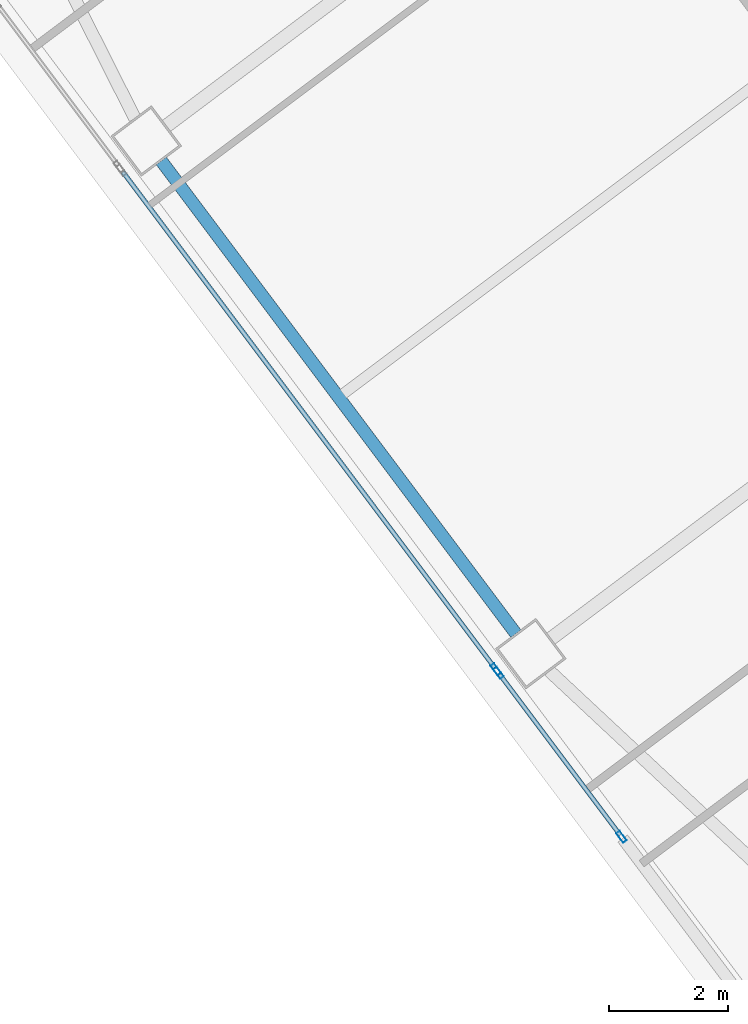
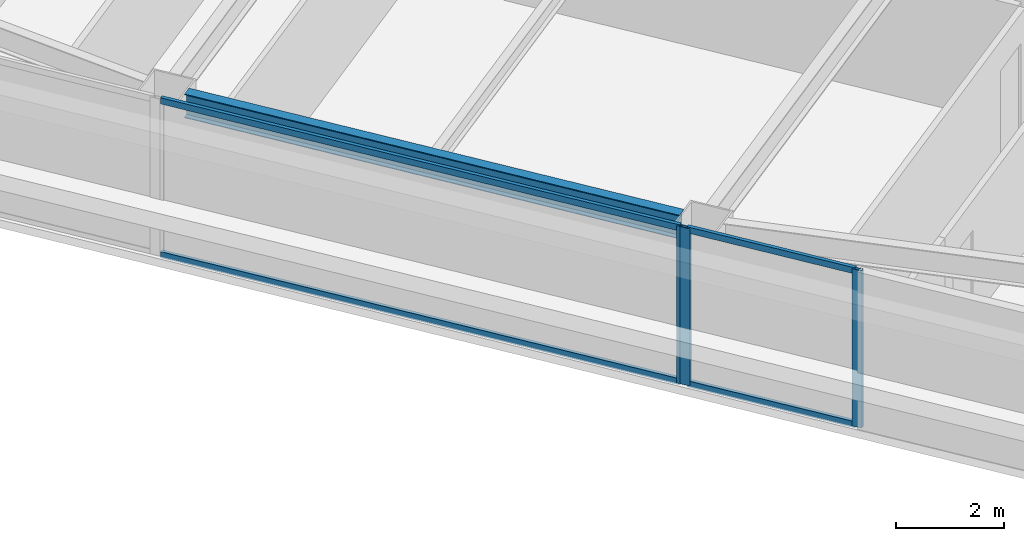
# One storey, part 17 of 41: 7 members, 1 beam, 2 elements without a shape of their own.
"""IFC4 building model written with IfcOpenShell, lengths in metres."""

from ifc_helpers import new_model, si_unit, direction, frame, origin, origin_2d, place, context, subcontext, project, spatial, hollow_rectangle, i_section, extrude, material, material_profile, profile_set, type_object, element, aggregate, save


model = new_model("IFC4")

# Units and contexts
model_context = context("Model", 3, precision=1e-05, world=origin(), true_north=direction((0.0, 1.0)))
body_context = subcontext(model_context, "Body", "Model", "MODEL_VIEW")
ifc_project = project(units=[si_unit("LENGTHUNIT", "METRE"), si_unit("AREAUNIT", "SQUARE_METRE"), si_unit("VOLUMEUNIT", "CUBIC_METRE"), si_unit("PLANEANGLEUNIT", "RADIAN"), si_unit("MASSUNIT", "GRAM", prefix="KILO")], contexts=[model_context])

# Site, building, storey
site_placement = place(None, origin())
site = spatial("IfcSite", under=ifc_project, at=site_placement, CompositionType="ELEMENT")
building_placement = place(site_placement, origin())
building = spatial("IfcBuilding", under=site, at=building_placement, Name="Tashvorn Skyway Center", CompositionType="ELEMENT")
storey_placement = place(building_placement, frame((0.0, 0.0, 146.35009765625)))
storey = spatial("IfcBuildingStorey", under=building, at=storey_placement, Name="L39", CompositionType="ELEMENT", Elevation=146.35009765625)

# Beam
ifc_material_1 = material(Name="Steel ASTM A992 Grade 50", Category="steel")
ifc_material_profile_1 = material_profile(ifc_material_1, i_section(OverallWidth=0.2109375, OverallDepth=0.5390625, WebThickness=0.01171875, FlangeThickness=0.018798828125, at=origin_2d()), Name="W21X73")
ifc_profile_set_1 = profile_set([ifc_material_profile_1], Name="Steel ASTM A992 Grade 50")
beam_type = type_object("IfcBeamType", Name="BM-SPANDREL-W21X73", PredefinedType="SPANDREL", material=ifc_profile_set_1)
beam_placement = place(storey_placement, frame((96.89208984375, 25.39404296875, 3.100341796875), z_axis=(0.599988234018, -0.800008824351, 0.0), x_axis=(0.800008824351, 0.599988234018, 0.0)))
element("IfcBeam", 1, at=beam_placement, inside=storey, type_object=beam_type, Name="Tower 2 L39 Spandrel Beam 11", PredefinedType="SPANDREL", context=body_context, shape_type="SweptSolid", body=[
    extrude(i_section(OverallWidth=0.2109375, OverallDepth=0.5390625, WebThickness=0.01171875, FlangeThickness=0.018798828125, at=origin_2d()), origin(), (0.0, 0.0, 1.0), 9.9599609375),
])

# Curtain wall, members
ifc_material_2 = material(Name="Thermally broken bronze-anodized aluminium 6063-T6", Category="aluminium")
curtain_wall_type = type_object("IfcCurtainWallType", Name="CW-CW-Z3", PredefinedType="NOTDEFINED", material=ifc_material_2)
curtain_wall_1_placement = place(storey_placement, origin())
curtain_wall_1 = element("IfcCurtainWall", 2, at=curtain_wall_1_placement, inside=storey, type_object=curtain_wall_type, Name="Tower 2 L39 West Unitised Curtain Wall Glazing Group 1", PredefinedType="NOTDEFINED")
ifc_material_profile_2 = material_profile(ifc_material_2, hollow_rectangle(XDim=0.074951171875, YDim=0.199951171875, WallThickness=0.00439453125, at=origin_2d()), Name="ALU-MULL-75x200")
ifc_profile_set_2 = profile_set([ifc_material_profile_2], Name="Thermally broken bronze-anodized aluminium 6063-T6")
member_type_1 = type_object("IfcMemberType", Name="CWM-CW-Z3", PredefinedType="MULLION", material=ifc_profile_set_2)
member_1_placement = place(storey_placement, frame((104.646728515625, 14.004150390625, 0.0), z_axis=(0.0, 0.0, 1.0), x_axis=(-0.800003400519, -0.599995465948, 0.0)))
member_1 = element("IfcMember", 3, at=member_1_placement, type_object=member_type_1, Name="CW-Z3 mullion 1", PredefinedType="MULLION", context=body_context, shape_type="SweptSolid", body=[
    extrude(hollow_rectangle(XDim=0.074951171875, YDim=0.199951171875, WallThickness=0.00439453125, at=origin_2d()), origin(), (0.0, 0.0, 1.0), 3.5498046875),
])
member_2_placement = place(storey_placement, frame((102.574462890625, 16.767333984375, 0.0), z_axis=(0.0, 0.0, 1.0), x_axis=(-0.800003400519, -0.599995465948, 0.0)))
member_2 = element("IfcMember", 4, at=member_2_placement, type_object=member_type_1, Name="CW-Z3 mullion 2", PredefinedType="MULLION", context=body_context, shape_type="SweptSolid", body=[
    extrude(hollow_rectangle(XDim=0.074951171875, YDim=0.199951171875, WallThickness=0.00439453125, at=origin_2d()), origin(), (0.0, 0.0, 1.0), 3.5498046875),
])

# Curtain wall, member
curtain_wall_2_placement = place(storey_placement, origin())
curtain_wall_2 = element("IfcCurtainWall", 5, at=curtain_wall_2_placement, inside=storey, type_object=curtain_wall_type, Name="Tower 2 L39 West Unitised Curtain Wall Glazing Group 2", PredefinedType="NOTDEFINED")
member_3_placement = place(storey_placement, frame((102.529541015625, 16.827392578125, 0.0), z_axis=(0.0, 0.0, 1.0), x_axis=(-0.800002266987, -0.599996977339, 0.0)))
member_3 = element("IfcMember", 6, at=member_3_placement, type_object=member_type_1, Name="CW-Z3 mullion 1", PredefinedType="MULLION", context=body_context, shape_type="SweptSolid", body=[
    extrude(hollow_rectangle(XDim=0.074951171875, YDim=0.199951171875, WallThickness=0.00439453125, at=origin_2d()), origin(), (0.0, 0.0, 1.0), 3.5498046875),
])

# Member
ifc_material_profile_3 = material_profile(ifc_material_2, hollow_rectangle(XDim=0.074951171875, YDim=0.139892578125, WallThickness=0.004150390625, at=origin_2d()), Name="ALU-TRAN-75x140")
ifc_profile_set_3 = profile_set([ifc_material_profile_3], Name="Thermally broken bronze-anodized aluminium 6063-T6")
member_type_2 = type_object("IfcMemberType", Name="CWT-CW-Z3", PredefinedType="USERDEFINED", material=ifc_profile_set_3)
member_4_placement = place(storey_placement, frame((104.624267578125, 14.0341796875, 0.037353515625), z_axis=(-0.6, 0.8, 0.0), x_axis=(-0.8, -0.6, 0.0)))
member_4 = element("IfcMember", 7, at=member_4_placement, type_object=member_type_2, Name="CW-Z3 transom 1.1", ObjectType="TRANSOM", PredefinedType="USERDEFINED", context=body_context, shape_type="SweptSolid", body=[
    extrude(hollow_rectangle(XDim=0.074951171875, YDim=0.139892578125, WallThickness=0.004150390625, at=origin_2d()), origin(), (0.0, 0.0, 1.0), 3.37890625),
])

member_5_placement = place(storey_placement, frame((104.624267578125, 14.0341796875, 3.512451171875), z_axis=(-0.6, 0.8, 0.0), x_axis=(-0.8, -0.6, 0.0)))
member_5 = element("IfcMember", 8, at=member_5_placement, type_object=member_type_2, Name="CW-Z3 transom 1.2", ObjectType="TRANSOM", PredefinedType="USERDEFINED", context=body_context, shape_type="SweptSolid", body=[
    extrude(hollow_rectangle(XDim=0.074951171875, YDim=0.139892578125, WallThickness=0.004150390625, at=origin_2d()), origin(), (0.0, 0.0, 1.0), 3.37890625),
])

aggregate(curtain_wall_1, [member_1, member_2, member_4, member_5])

member_6_placement = place(storey_placement, frame((102.507080078125, 16.857421875, 0.037353515625), z_axis=(-0.599996257181, 0.800002807101, 0.0), x_axis=(-0.800002807101, -0.599996257181, 0.0)))
member_6 = element("IfcMember", 9, at=member_6_placement, type_object=member_type_2, Name="CW-Z3 transom 1.1", ObjectType="TRANSOM", PredefinedType="USERDEFINED", context=body_context, shape_type="SweptSolid", body=[
    extrude(hollow_rectangle(XDim=0.074951171875, YDim=0.139892578125, WallThickness=0.004150390625, at=origin_2d()), origin(), (0.0, 0.0, 1.0), 10.436767578125),
])

member_7_placement = place(storey_placement, frame((102.507080078125, 16.857421875, 3.512451171875), z_axis=(-0.599996257181, 0.800002807101, 0.0), x_axis=(-0.800002807101, -0.599996257181, 0.0)))
member_7 = element("IfcMember", 10, at=member_7_placement, type_object=member_type_2, Name="CW-Z3 transom 1.2", ObjectType="TRANSOM", PredefinedType="USERDEFINED", context=body_context, shape_type="SweptSolid", body=[
    extrude(hollow_rectangle(XDim=0.074951171875, YDim=0.139892578125, WallThickness=0.004150390625, at=origin_2d()), origin(), (0.0, 0.0, 1.0), 10.436767578125),
])

aggregate(curtain_wall_2, [member_3, member_6, member_7])

save(model, "model.ifc")
